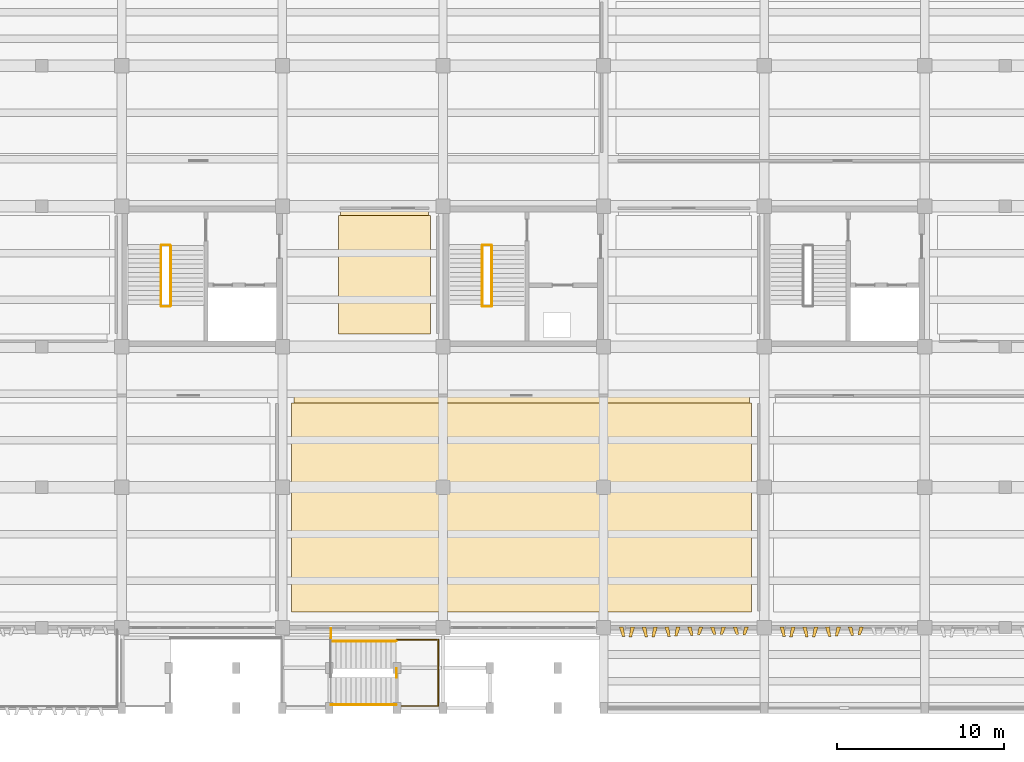
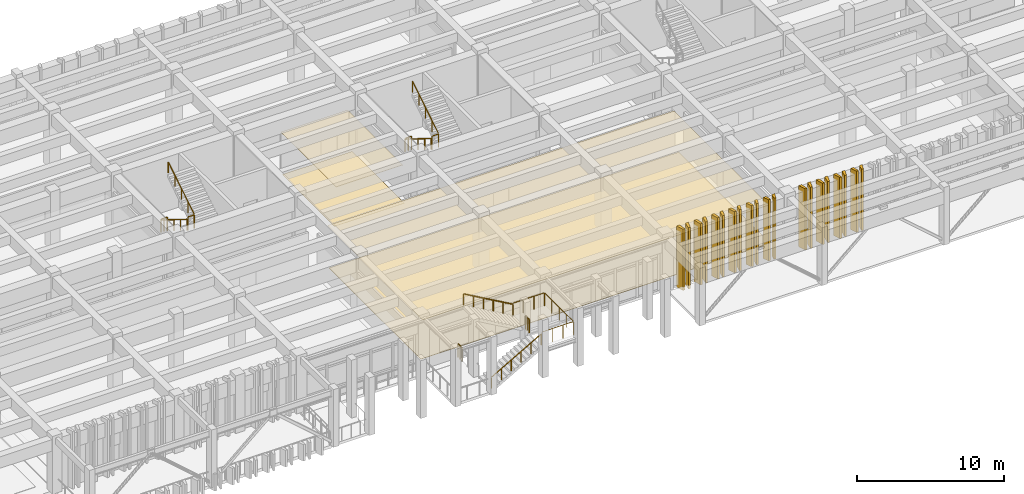
# One storey, part 77 of 86: 24 coverings, 13 railings.
"""IFC4 building model written with IfcOpenShell, lengths in metres."""

from ifc_helpers import new_model, si_unit, direction, frame, origin, origin_2d, place, context, subcontext, project, spatial, polyline, circle, outline, extrude, material, layer, layer_set, type_object, element, save


model = new_model("IFC4")

# Units and contexts
model_context = context("Model", 3, precision=1e-05, world=origin(), true_north=direction((0.0, 1.0)))
body_context = subcontext(model_context, "Body", "Model", "MODEL_VIEW")
ifc_project = project(units=[si_unit("LENGTHUNIT", "METRE"), si_unit("AREAUNIT", "SQUARE_METRE"), si_unit("VOLUMEUNIT", "CUBIC_METRE"), si_unit("PLANEANGLEUNIT", "RADIAN"), si_unit("MASSUNIT", "GRAM", prefix="KILO")], contexts=[model_context])

# Site, building, storey
site_placement = place(None, origin())
site = spatial("IfcSite", under=ifc_project, at=site_placement, CompositionType="ELEMENT")
building_placement = place(site_placement, origin())
building = spatial("IfcBuilding", under=site, at=building_placement, Name="Kolvemor Railside Polytechnic", CompositionType="ELEMENT")
storey_placement = place(building_placement, frame((0.0, 0.0, 5.39990234375)))
storey = spatial("IfcBuildingStorey", under=building, at=storey_placement, Name="L01", CompositionType="ELEMENT", Elevation=5.39990234375)

# Coverings
ifc_material_1 = material(Name="Perforated acoustic mineral-fibre and timber-slat ceiling", Category="wood")
ifc_layer_1 = layer(ifc_material_1, 0.034912109375, Name="COV-CEIL-3")
ifc_layer_set_1 = layer_set([ifc_layer_1], Name="Perforated acoustic mineral-fibre and timber-slat ceiling")
covering_type_1 = type_object("IfcCoveringType", Name="COV-CEIL-3", PredefinedType="CEILING", material=ifc_layer_set_1)
covering_1_placement = place(storey_placement, frame((0.0, 0.0, 3.22509765625)))
element("IfcCovering", 1, at=covering_1_placement, inside=storey, type_object=covering_type_1, Name="Fluid Mechanics Teaching Laboratory Acoustic Ceiling", PredefinedType="CEILING", context=body_context, shape_type="SweptSolid", body=[
    extrude(outline(polyline([(80.280029296875, 22.35009765625), (85.52001953125, 22.35009765625), (85.52001953125, 29.8798828125), (80.280029296875, 29.8798828125), (80.280029296875, 22.35009765625)])), origin(), (0.0, 0.0, 1.0), 0.034912109375),
])
ifc_material_2 = material(Name="Perforated acoustic mineral-fibre and timber-slat ceiling", Category="wood")
ifc_layer_2 = layer(ifc_material_2, 0.0400390625, Name="COV-CEIL-4")
ifc_layer_set_2 = layer_set([ifc_layer_2], Name="Perforated acoustic mineral-fibre and timber-slat ceiling")
covering_type_2 = type_object("IfcCoveringType", Name="COV-CEIL-4", PredefinedType="CEILING", material=ifc_layer_set_2)
covering_2_placement = place(storey_placement, frame((0.0, 0.0, 3.22021484375)))
element("IfcCovering", 2, at=covering_2_placement, inside=storey, type_object=covering_type_2, Name="Bioprocess and Marine Biology Laboratory Acoustic Ceiling", PredefinedType="CEILING", context=body_context, shape_type="SweptSolid", body=[
    extrude(outline(polyline([(77.47998046875, 5.75), (104.719970703125, 5.75), (104.719970703125, 18.679931640625), (77.47998046875, 18.679931640625), (77.47998046875, 5.75)])), origin(), (0.0, 0.0, 1.0), 0.039794921875),
])
ifc_material_3 = material(Name="Champagne-bronze PVDF-anodised marine aluminium 5052-H32", Category="aluminium")
ifc_layer_3 = layer(ifc_material_3, 0.179931640625, Name="COV-FIN-CHAMP")
ifc_layer_set_3 = layer_set([ifc_layer_3], Name="Champagne-bronze PVDF-anodised marine aluminium 5052-H32")
covering_type_3 = type_object("IfcCoveringType", Name="COV-FIN-CHAMP", PredefinedType="CLADDING", material=ifc_layer_set_3)
covering_3_placement = place(storey_placement, frame((0.0, 0.0, -0.289794921875)))
element("IfcCovering", 3, at=covering_3_placement, inside=storey, type_object=covering_type_3, Name="Pleated Solar Fin L01-0298", PredefinedType="CLADDING", context=body_context, shape_type="SweptSolid", body=[
    extrude(outline(polyline([(96.945068359375, 4.8349609375), (97.175048828125, 4.8349609375), (97.280029296875, 4.263916015625), (97.1201171875, 4.263916015625), (96.945068359375, 4.8349609375)])), origin(), (0.0, 0.0, 1.0), 5.08984375),
])
covering_4_placement = place(storey_placement, frame((0.0, 0.0, -0.289794921875)))
element("IfcCovering", 4, at=covering_4_placement, inside=storey, type_object=covering_type_3, Name="Pleated Solar Fin L01-0299", PredefinedType="CLADDING", context=body_context, shape_type="SweptSolid", body=[
    extrude(outline(polyline([(97.625, 4.8349609375), (97.85498046875, 4.8349609375), (97.679931640625, 4.241943359375), (97.52001953125, 4.241943359375), (97.625, 4.8349609375)])), origin(), (0.0, 0.0, 1.0), 5.08984375),
])
covering_5_placement = place(storey_placement, frame((0.0, 0.0, -0.289794921875)))
element("IfcCovering", 5, at=covering_5_placement, inside=storey, type_object=covering_type_3, Name="Pleated Solar Fin L01-0300", PredefinedType="CLADDING", context=body_context, shape_type="SweptSolid", body=[
    extrude(outline(polyline([(98.304931640625, 4.8349609375), (98.534912109375, 4.8349609375), (98.639892578125, 4.235107421875), (98.47998046875, 4.235107421875), (98.304931640625, 4.8349609375)])), origin(), (0.0, 0.0, 1.0), 5.08984375),
])
covering_6_placement = place(storey_placement, frame((0.0, 0.0, -0.289794921875)))
element("IfcCovering", 6, at=covering_6_placement, inside=storey, type_object=covering_type_3, Name="Pleated Solar Fin L01-0301", PredefinedType="CLADDING", context=body_context, shape_type="SweptSolid", body=[
    extrude(outline(polyline([(98.985107421875, 4.8349609375), (99.215087890625, 4.8349609375), (99.0400390625, 4.242919921875), (98.8798828125, 4.242919921875), (98.985107421875, 4.8349609375)])), origin(), (0.0, 0.0, 1.0), 5.08984375),
])
covering_7_placement = place(storey_placement, frame((0.0, 0.0, -0.289794921875)))
element("IfcCovering", 7, at=covering_7_placement, inside=storey, type_object=covering_type_3, Name="Pleated Solar Fin L01-0302", PredefinedType="CLADDING", context=body_context, shape_type="SweptSolid", body=[
    extrude(outline(polyline([(99.6650390625, 4.8349609375), (99.89501953125, 4.8349609375), (100.0, 4.264892578125), (99.840087890625, 4.264892578125), (99.6650390625, 4.8349609375)])), origin(), (0.0, 0.0, 1.0), 5.08984375),
])
covering_8_placement = place(storey_placement, frame((0.0, 0.0, -0.289794921875)))
element("IfcCovering", 8, at=covering_8_placement, inside=storey, type_object=covering_type_3, Name="Pleated Solar Fin L01-0303", PredefinedType="CLADDING", context=body_context, shape_type="SweptSolid", body=[
    extrude(outline(polyline([(100.344970703125, 4.8349609375), (100.574951171875, 4.8349609375), (100.39990234375, 4.297119140625), (100.239990234375, 4.297119140625), (100.344970703125, 4.8349609375)])), origin(), (0.0, 0.0, 1.0), 5.08984375),
])
covering_9_placement = place(storey_placement, frame((0.0, 0.0, -0.289794921875)))
element("IfcCovering", 9, at=covering_9_placement, inside=storey, type_object=covering_type_3, Name="Pleated Solar Fin L01-0304", PredefinedType="CLADDING", context=body_context, shape_type="SweptSolid", body=[
    extrude(outline(polyline([(101.02490234375, 4.8349609375), (101.2548828125, 4.8349609375), (101.360107421875, 4.3330078125), (101.199951171875, 4.3330078125), (101.02490234375, 4.8349609375)])), origin(), (0.0, 0.0, 1.0), 5.08984375),
])
covering_10_placement = place(storey_placement, frame((0.0, 0.0, -0.289794921875)))
element("IfcCovering", 10, at=covering_10_placement, inside=storey, type_object=covering_type_3, Name="Pleated Solar Fin L01-0305", PredefinedType="CLADDING", context=body_context, shape_type="SweptSolid", body=[
    extrude(outline(polyline([(101.705078125, 4.8349609375), (101.93505859375, 4.8349609375), (101.760009765625, 4.364990234375), (101.60009765625, 4.364990234375), (101.705078125, 4.8349609375)])), origin(), (0.0, 0.0, 1.0), 5.08984375),
])
covering_11_placement = place(storey_placement, frame((0.0, 0.0, -0.289794921875)))
element("IfcCovering", 11, at=covering_11_placement, inside=storey, type_object=covering_type_3, Name="Pleated Solar Fin L01-0306", PredefinedType="CLADDING", context=body_context, shape_type="SweptSolid", body=[
    extrude(outline(polyline([(102.385009765625, 4.8349609375), (102.614990234375, 4.8349609375), (102.719970703125, 4.386962890625), (102.56005859375, 4.386962890625), (102.385009765625, 4.8349609375)])), origin(), (0.0, 0.0, 1.0), 5.08984375),
])
covering_12_placement = place(storey_placement, frame((0.0, 0.0, -0.289794921875)))
element("IfcCovering", 12, at=covering_12_placement, inside=storey, type_object=covering_type_3, Name="Pleated Solar Fin L01-0307", PredefinedType="CLADDING", context=body_context, shape_type="SweptSolid", body=[
    extrude(outline(polyline([(103.06494140625, 4.8349609375), (103.294921875, 4.8349609375), (103.1201171875, 4.39501953125), (102.9599609375, 4.39501953125), (103.06494140625, 4.8349609375)])), origin(), (0.0, 0.0, 1.0), 5.08984375),
])
covering_13_placement = place(storey_placement, frame((0.0, 0.0, -0.289794921875)))
element("IfcCovering", 13, at=covering_13_placement, inside=storey, type_object=covering_type_3, Name="Pleated Solar Fin L01-0308", PredefinedType="CLADDING", context=body_context, shape_type="SweptSolid", body=[
    extrude(outline(polyline([(103.7451171875, 4.8349609375), (103.97509765625, 4.8349609375), (104.080078125, 4.387939453125), (103.919921875, 4.387939453125), (103.7451171875, 4.8349609375)])), origin(), (0.0, 0.0, 1.0), 5.08984375),
])
covering_14_placement = place(storey_placement, frame((0.0, 0.0, -0.289794921875)))
element("IfcCovering", 14, at=covering_14_placement, inside=storey, type_object=covering_type_3, Name="Pleated Solar Fin L01-0309", PredefinedType="CLADDING", context=body_context, shape_type="SweptSolid", body=[
    extrude(outline(polyline([(104.425048828125, 4.8349609375), (104.655029296875, 4.8349609375), (104.47998046875, 4.365966796875), (104.320068359375, 4.365966796875), (104.425048828125, 4.8349609375)])), origin(), (0.0, 0.0, 1.0), 5.08984375),
])
ifc_material_4 = material(Name="Sea-mist PVDF-anodised marine aluminium 5052-H32", Category="aluminium")
ifc_layer_4 = layer(ifc_material_4, 0.159912109375, Name="COV-FIN-MIST")
ifc_layer_set_4 = layer_set([ifc_layer_4], Name="Sea-mist PVDF-anodised marine aluminium 5052-H32")
covering_type_4 = type_object("IfcCoveringType", Name="COV-FIN-MIST", PredefinedType="CLADDING", material=ifc_layer_set_4)
covering_15_placement = place(storey_placement, frame((0.0, 0.0, -0.289794921875)))
element("IfcCovering", 15, at=covering_15_placement, inside=storey, type_object=covering_type_4, Name="Pleated Solar Fin L01-0310", PredefinedType="CLADDING", context=body_context, shape_type="SweptSolid", body=[
    extrude(outline(polyline([(106.544921875, 4.8349609375), (106.77490234375, 4.8349609375), (106.8798828125, 4.263916015625), (106.719970703125, 4.263916015625), (106.544921875, 4.8349609375)])), origin(), (0.0, 0.0, 1.0), 5.08984375),
])
covering_16_placement = place(storey_placement, frame((0.0, 0.0, -0.289794921875)))
element("IfcCovering", 16, at=covering_16_placement, inside=storey, type_object=covering_type_4, Name="Pleated Solar Fin L01-0311", PredefinedType="CLADDING", context=body_context, shape_type="SweptSolid", body=[
    extrude(outline(polyline([(107.22509765625, 4.8349609375), (107.455078125, 4.8349609375), (107.280029296875, 4.241943359375), (107.1201171875, 4.241943359375), (107.22509765625, 4.8349609375)])), origin(), (0.0, 0.0, 1.0), 5.08984375),
])
covering_17_placement = place(storey_placement, frame((0.0, 0.0, -0.289794921875)))
element("IfcCovering", 17, at=covering_17_placement, inside=storey, type_object=covering_type_4, Name="Pleated Solar Fin L01-0312", PredefinedType="CLADDING", context=body_context, shape_type="SweptSolid", body=[
    extrude(outline(polyline([(107.905029296875, 4.8349609375), (108.135009765625, 4.8349609375), (108.239990234375, 4.235107421875), (108.080078125, 4.235107421875), (107.905029296875, 4.8349609375)])), origin(), (0.0, 0.0, 1.0), 5.08984375),
])
covering_18_placement = place(storey_placement, frame((0.0, 0.0, -0.289794921875)))
element("IfcCovering", 18, at=covering_18_placement, inside=storey, type_object=covering_type_4, Name="Pleated Solar Fin L01-0313", PredefinedType="CLADDING", context=body_context, shape_type="SweptSolid", body=[
    extrude(outline(polyline([(108.5849609375, 4.8349609375), (108.81494140625, 4.8349609375), (108.639892578125, 4.242919921875), (108.47998046875, 4.242919921875), (108.5849609375, 4.8349609375)])), origin(), (0.0, 0.0, 1.0), 5.08984375),
])
covering_19_placement = place(storey_placement, frame((0.0, 0.0, -0.289794921875)))
element("IfcCovering", 19, at=covering_19_placement, inside=storey, type_object=covering_type_4, Name="Pleated Solar Fin L01-0314", PredefinedType="CLADDING", context=body_context, shape_type="SweptSolid", body=[
    extrude(outline(polyline([(109.264892578125, 4.8349609375), (109.4951171875, 4.8349609375), (109.60009765625, 4.264892578125), (109.43994140625, 4.264892578125), (109.264892578125, 4.8349609375)])), origin(), (0.0, 0.0, 1.0), 5.08984375),
])
covering_20_placement = place(storey_placement, frame((0.0, 0.0, -0.289794921875)))
element("IfcCovering", 20, at=covering_20_placement, inside=storey, type_object=covering_type_4, Name="Pleated Solar Fin L01-0315", PredefinedType="CLADDING", context=body_context, shape_type="SweptSolid", body=[
    extrude(outline(polyline([(109.945068359375, 4.8349609375), (110.175048828125, 4.8349609375), (110.0, 4.297119140625), (109.840087890625, 4.297119140625), (109.945068359375, 4.8349609375)])), origin(), (0.0, 0.0, 1.0), 5.08984375),
])
covering_21_placement = place(storey_placement, frame((0.0, 0.0, -0.289794921875)))
element("IfcCovering", 21, at=covering_21_placement, inside=storey, type_object=covering_type_4, Name="Pleated Solar Fin L01-0316", PredefinedType="CLADDING", context=body_context, shape_type="SweptSolid", body=[
    extrude(outline(polyline([(110.625, 4.8349609375), (110.85498046875, 4.8349609375), (110.9599609375, 4.3330078125), (110.800048828125, 4.3330078125), (110.625, 4.8349609375)])), origin(), (0.0, 0.0, 1.0), 5.08984375),
])
covering_22_placement = place(storey_placement, frame((0.0, 0.0, -0.289794921875)))
element("IfcCovering", 22, at=covering_22_placement, inside=storey, type_object=covering_type_4, Name="Pleated Solar Fin L01-0317", PredefinedType="CLADDING", context=body_context, shape_type="SweptSolid", body=[
    extrude(outline(polyline([(111.304931640625, 4.8349609375), (111.534912109375, 4.8349609375), (111.360107421875, 4.364990234375), (111.199951171875, 4.364990234375), (111.304931640625, 4.8349609375)])), origin(), (0.0, 0.0, 1.0), 5.08984375),
])
ifc_material_5 = material(Name="Polished coral-aggregate terrazzo and laboratory epoxy flooring")
ifc_layer_5 = layer(ifc_material_5, 0.030029296875, Name="COV-FLR-3")
ifc_layer_set_5 = layer_set([ifc_layer_5], Name="Polished coral-aggregate terrazzo and laboratory epoxy flooring")
covering_type_5 = type_object("IfcCoveringType", Name="COV-FLR-3", PredefinedType="FLOORING", material=ifc_layer_set_5)
covering_23_placement = place(storey_placement, origin())
element("IfcCovering", 23, at=covering_23_placement, inside=storey, type_object=covering_type_5, Name="Fluid Mechanics Teaching Laboratory Floor Finish", PredefinedType="FLOORING", context=body_context, shape_type="SweptSolid", body=[
    extrude(outline(polyline([(80.14990234375, 22.35009765625), (85.64990234375, 22.35009765625), (85.64990234375, 29.449951171875), (80.14990234375, 29.449951171875), (80.14990234375, 22.35009765625)])), origin(), (0.0, 0.0, 1.0), 0.030029296875),
])
ifc_material_6 = material(Name="Polished coral-aggregate terrazzo and laboratory epoxy flooring")
ifc_layer_6 = layer(ifc_material_6, 0.034912109375, Name="COV-FLR-4")
ifc_layer_set_6 = layer_set([ifc_layer_6], Name="Polished coral-aggregate terrazzo and laboratory epoxy flooring")
covering_type_6 = type_object("IfcCoveringType", Name="COV-FLR-4", PredefinedType="FLOORING", material=ifc_layer_set_6)
covering_24_placement = place(storey_placement, origin())
element("IfcCovering", 24, at=covering_24_placement, inside=storey, type_object=covering_type_6, Name="Bioprocess and Marine Biology Laboratory Floor Finish", PredefinedType="FLOORING", context=body_context, shape_type="SweptSolid", body=[
    extrude(outline(polyline([(77.35009765625, 5.75), (104.85009765625, 5.75), (104.85009765625, 18.25), (77.35009765625, 18.25), (77.35009765625, 5.75)])), origin(), (0.0, 0.0, 1.0), 0.03515625),
])

# Railings
ifc_material_7 = material(Name="AISI 316 marine stainless-steel balustrade guard", Category="steel")
railing_type_1 = type_object("IfcRailingType", Name="RLG-GUARD-1120", PredefinedType="BALUSTRADE", material=ifc_material_7)
railing_1_placement = place(storey_placement, frame((69.580078125, 27.679931640625, 0.0)))
element("IfcRailing", 25, at=railing_1_placement, inside=storey, type_object=railing_type_1, Name="ST-1 Floor Slot Guard L01", PredefinedType="BALUSTRADE", context=body_context, shape_type="SweptSolid", body=[
    extrude(circle(Radius=0.02392578125, at=origin_2d()), frame((0.054931640625, 0.0, 1.09619140625), z_axis=(1.0, 0.0, 0.0), x_axis=(0.0, 1.0, 0.0)), (0.0, 0.0, 1.0), 0.389892578125),
    extrude(circle(Radius=0.02099609375, at=origin_2d()), origin(), (0.0, 0.0, 1.0), 1.05712890625),
    extrude(circle(Radius=0.02099609375, at=origin_2d()), frame((0.25, 0.0, 0.0)), (0.0, 0.0, 1.0), 1.05712890625),
    extrude(circle(Radius=0.02099609375, at=origin_2d()), frame((0.5, 0.0, 0.0)), (0.0, 0.0, 1.0), 1.05712890625),
])
railing_2_placement = place(storey_placement, frame((69.580078125, 24.0048828125, 2.400146484375)))
element("IfcRailing", 26, at=railing_2_placement, inside=storey, type_object=railing_type_1, Name="ST-1 Half-Landing Slot Guard L01", PredefinedType="BALUSTRADE", context=body_context, shape_type="SweptSolid", body=[
    extrude(circle(Radius=0.02392578125, at=origin_2d()), frame((0.054931640625, 0.0, 1.09619140625), z_axis=(1.0, 0.0, 0.0), x_axis=(0.0, 1.0, 0.0)), (0.0, 0.0, 1.0), 0.389892578125),
    extrude(circle(Radius=0.02099609375, at=origin_2d()), origin(), (0.0, 0.0, 1.0), 1.05712890625),
    extrude(circle(Radius=0.02099609375, at=origin_2d()), frame((0.5, 0.0, 0.0)), (0.0, 0.0, 1.0), 1.05712890625),
])
railing_3_placement = place(storey_placement, frame((88.780029296875, 27.679931640625, 0.0)))
element("IfcRailing", 27, at=railing_3_placement, inside=storey, type_object=railing_type_1, Name="ST-3 Floor Slot Guard L01", PredefinedType="BALUSTRADE", context=body_context, shape_type="SweptSolid", body=[
    extrude(circle(Radius=0.02392578125, at=origin_2d()), frame((0.054931640625, 0.0, 1.09619140625), z_axis=(1.0, 0.0, 0.0), x_axis=(0.0, 1.0, 0.0)), (0.0, 0.0, 1.0), 0.389892578125),
    extrude(circle(Radius=0.02099609375, at=origin_2d()), origin(), (0.0, 0.0, 1.0), 1.05712890625),
    extrude(circle(Radius=0.02099609375, at=origin_2d()), frame((0.25, 0.0, 0.0)), (0.0, 0.0, 1.0), 1.05712890625),
    extrude(circle(Radius=0.02099609375, at=origin_2d()), frame((0.5, 0.0, 0.0)), (0.0, 0.0, 1.0), 1.05712890625),
])
railing_4_placement = place(storey_placement, frame((88.780029296875, 24.0048828125, 2.400146484375)))
element("IfcRailing", 28, at=railing_4_placement, inside=storey, type_object=railing_type_1, Name="ST-3 Half-Landing Slot Guard L01", PredefinedType="BALUSTRADE", context=body_context, shape_type="SweptSolid", body=[
    extrude(circle(Radius=0.02392578125, at=origin_2d()), frame((0.054931640625, 0.0, 1.09619140625), z_axis=(1.0, 0.0, 0.0), x_axis=(0.0, 1.0, 0.0)), (0.0, 0.0, 1.0), 0.389892578125),
    extrude(circle(Radius=0.02099609375, at=origin_2d()), origin(), (0.0, 0.0, 1.0), 1.05712890625),
    extrude(circle(Radius=0.02099609375, at=origin_2d()), frame((0.5, 0.0, 0.0)), (0.0, 0.0, 1.0), 1.05712890625),
])
railing_5_placement = place(storey_placement, frame((79.699951171875, 4.179931640625, 0.0)))
element("IfcRailing", 29, at=railing_5_placement, inside=storey, type_object=railing_type_1, Name="ST-EXT Rear Gallery East End Guard L01-1", PredefinedType="BALUSTRADE", context=body_context, shape_type="SweptSolid", body=[
    extrude(circle(Radius=0.02392578125, at=origin_2d()), frame((0.0, 0.054931640625, 1.09619140625), z_axis=(0.0, 1.0, 0.0), x_axis=(-1.0, 0.0, 0.0)), (0.0, 0.0, 1.0), 0.449951171875),
    extrude(circle(Radius=0.02099609375, at=origin_2d()), origin(), (0.0, 0.0, 1.0), 1.05712890625),
    extrude(circle(Radius=0.02099609375, at=origin_2d()), frame((0.0, 0.280029296875, 0.0)), (0.0, 0.0, 1.0), 1.05712890625),
    extrude(circle(Radius=0.02099609375, at=origin_2d()), frame((0.0, 0.56005859375, 0.0)), (0.0, 0.0, 1.0), 1.05712890625),
])
railing_6_placement = place(storey_placement, frame((83.6201171875, 0.1201171875, 2.400146484375)))
element("IfcRailing", 30, at=railing_6_placement, inside=storey, type_object=railing_type_1, Name="ST-EXT Half-Landing Perimeter Guard L01", PredefinedType="BALUSTRADE", context=body_context, shape_type="SweptSolid", body=[
    extrude(circle(Radius=0.02392578125, at=origin_2d()), frame((0.054931640625, 0.0, 1.09619140625), z_axis=(1.0, 0.0, 0.0), x_axis=(0.0, 1.0, 0.0)), (0.0, 0.0, 1.0), 2.389892578125),
    extrude(circle(Radius=0.02392578125, at=origin_2d()), frame((2.5, 0.054931640625, 1.09619140625), z_axis=(0.0, 1.0, 0.0), x_axis=(-1.0, 0.0, 0.0)), (0.0, 0.0, 1.0), 3.849853515625),
    extrude(circle(Radius=0.02392578125, at=origin_2d()), frame((2.445068359375, 3.9599609375, 1.09619140625), z_axis=(-1.0, 0.0, 0.0), x_axis=(0.0, -1.0, 0.0)), (0.0, 0.0, 1.0), 2.389892578125),
    extrude(circle(Radius=0.02099609375, at=origin_2d()), origin(), (0.0, 0.0, 1.0), 1.05712890625),
    extrude(circle(Radius=0.02099609375, at=origin_2d()), frame((0.833251953125, 0.0, 0.0)), (0.0, 0.0, 1.0), 1.05712890625),
    extrude(circle(Radius=0.02099609375, at=origin_2d()), frame((1.666748046875, 0.0, 0.0)), (0.0, 0.0, 1.0), 1.05712890625),
    extrude(circle(Radius=0.02099609375, at=origin_2d()), frame((2.5, 0.0, 0.0)), (0.0, 0.0, 1.0), 1.05712890625),
    extrude(circle(Radius=0.02099609375, at=origin_2d()), frame((2.5, 0.989990234375, 0.0)), (0.0, 0.0, 1.0), 1.05712890625),
    extrude(circle(Radius=0.02099609375, at=origin_2d()), frame((2.5, 1.97998046875, 0.0)), (0.0, 0.0, 1.0), 1.05712890625),
    extrude(circle(Radius=0.02099609375, at=origin_2d()), frame((2.5, 2.969970703125, 0.0)), (0.0, 0.0, 1.0), 1.05712890625),
    extrude(circle(Radius=0.02099609375, at=origin_2d()), frame((2.5, 3.9599609375, 0.0)), (0.0, 0.0, 1.0), 1.05712890625),
    extrude(circle(Radius=0.02099609375, at=origin_2d()), frame((1.666748046875, 3.9599609375, 0.0)), (0.0, 0.0, 1.0), 1.05712890625),
    extrude(circle(Radius=0.02099609375, at=origin_2d()), frame((0.833251953125, 3.9599609375, 0.0)), (0.0, 0.0, 1.0), 1.05712890625),
    extrude(circle(Radius=0.02099609375, at=origin_2d()), frame((0.0, 3.9599609375, 0.0)), (0.0, 0.0, 1.0), 1.05712890625),
])
railing_7_placement = place(storey_placement, frame((83.6201171875, 1.840087890625, 2.400146484375)))
element("IfcRailing", 31, at=railing_7_placement, inside=storey, type_object=railing_type_1, Name="ST-EXT Half-Landing Slot Guard L01", PredefinedType="BALUSTRADE", context=body_context, shape_type="SweptSolid", body=[
    extrude(circle(Radius=0.02392578125, at=origin_2d()), frame((0.0, 0.054931640625, 1.09619140625), z_axis=(0.0, 1.0, 0.0), x_axis=(-1.0, 0.0, 0.0)), (0.0, 0.0, 1.0), 0.409912109375),
    extrude(circle(Radius=0.02099609375, at=origin_2d()), origin(), (0.0, 0.0, 1.0), 1.05712890625),
    extrude(circle(Radius=0.02099609375, at=origin_2d()), frame((0.0, 0.260009765625, 0.0)), (0.0, 0.0, 1.0), 1.05712890625),
    extrude(circle(Radius=0.02099609375, at=origin_2d()), frame((0.0, 0.52001953125, 0.0)), (0.0, 0.0, 1.0), 1.05712890625),
])
ifc_material_8 = material(Name="Brushed AISI 316 stainless-steel stair handrail", Category="steel")
railing_type_2 = type_object("IfcRailingType", Name="RLG-HANDRAIL-920", PredefinedType="HANDRAIL", material=ifc_material_8)
railing_8_placement = place(storey_placement, frame((69.5400390625, 27.6201171875, 0.171630859375)))
element("IfcRailing", 32, at=railing_8_placement, inside=storey, type_object=railing_type_2, Name="ST-1 Flight 1 Handrail L01", PredefinedType="HANDRAIL", context=body_context, shape_type="SweptSolid", body=[
    extrude(circle(Radius=0.02392578125, at=origin_2d()), frame((0.0, -0.046630859375, 0.925048828125), z_axis=(0.0, -0.848635802536, 0.528977574812), x_axis=(1.0, 0.0, 0.0)), (0.0, 0.0, 1.0), 4.102783203125),
    extrude(circle(Radius=0.02099609375, at=origin_2d()), origin(), (0.0, 0.0, 1.0), 0.85693359375),
    extrude(circle(Radius=0.02099609375, at=origin_2d()), frame((0.0, -0.893798828125, 0.55712890625)), (0.0, 0.0, 1.0), 0.85693359375),
    extrude(circle(Radius=0.02099609375, at=origin_2d()), frame((0.0, -1.78759765625, 1.1142578125)), (0.0, 0.0, 1.0), 0.85693359375),
    extrude(circle(Radius=0.02099609375, at=origin_2d()), frame((0.0, -2.681396484375, 1.67138671875)), (0.0, 0.0, 1.0), 0.85693359375),
    extrude(circle(Radius=0.02099609375, at=origin_2d()), frame((0.0, -3.5751953125, 2.228515625)), (0.0, 0.0, 1.0), 0.85693359375),
])
railing_9_placement = place(storey_placement, frame((70.1201171875, 24.044921875, 2.571533203125)))
element("IfcRailing", 33, at=railing_9_placement, inside=storey, type_object=railing_type_2, Name="ST-1 Flight 2 Handrail L01", PredefinedType="HANDRAIL", context=body_context, shape_type="SweptSolid", body=[
    extrude(circle(Radius=0.02392578125, at=origin_2d()), frame((0.0, 0.046630859375, 0.925048828125), z_axis=(0.0, 0.848635802536, 0.528977574812), x_axis=(-1.0, 0.0, 0.0)), (0.0, 0.0, 1.0), 4.102783203125),
    extrude(circle(Radius=0.02099609375, at=origin_2d()), origin(), (0.0, 0.0, 1.0), 0.85693359375),
    extrude(circle(Radius=0.02099609375, at=origin_2d()), frame((0.0, 0.893798828125, 0.55712890625)), (0.0, 0.0, 1.0), 0.85693359375),
    extrude(circle(Radius=0.02099609375, at=origin_2d()), frame((0.0, 1.78759765625, 1.1142578125)), (0.0, 0.0, 1.0), 0.85693359375),
    extrude(circle(Radius=0.02099609375, at=origin_2d()), frame((0.0, 2.681396484375, 1.67138671875)), (0.0, 0.0, 1.0), 0.85693359375),
    extrude(circle(Radius=0.02099609375, at=origin_2d()), frame((0.0, 3.5751953125, 2.228515625)), (0.0, 0.0, 1.0), 0.85693359375),
])
railing_10_placement = place(storey_placement, frame((88.739990234375, 27.6201171875, 0.171630859375)))
element("IfcRailing", 34, at=railing_10_placement, inside=storey, type_object=railing_type_2, Name="ST-3 Flight 1 Handrail L01", PredefinedType="HANDRAIL", context=body_context, shape_type="SweptSolid", body=[
    extrude(circle(Radius=0.02392578125, at=origin_2d()), frame((0.0, -0.046630859375, 0.925048828125), z_axis=(0.0, -0.848635802536, 0.528977574812), x_axis=(1.0, 0.0, 0.0)), (0.0, 0.0, 1.0), 4.102783203125),
    extrude(circle(Radius=0.02099609375, at=origin_2d()), origin(), (0.0, 0.0, 1.0), 0.85693359375),
    extrude(circle(Radius=0.02099609375, at=origin_2d()), frame((0.0, -0.893798828125, 0.55712890625)), (0.0, 0.0, 1.0), 0.85693359375),
    extrude(circle(Radius=0.02099609375, at=origin_2d()), frame((0.0, -1.78759765625, 1.1142578125)), (0.0, 0.0, 1.0), 0.85693359375),
    extrude(circle(Radius=0.02099609375, at=origin_2d()), frame((0.0, -2.681396484375, 1.67138671875)), (0.0, 0.0, 1.0), 0.85693359375),
    extrude(circle(Radius=0.02099609375, at=origin_2d()), frame((0.0, -3.5751953125, 2.228515625)), (0.0, 0.0, 1.0), 0.85693359375),
])
railing_11_placement = place(storey_placement, frame((89.320068359375, 24.044921875, 2.571533203125)))
element("IfcRailing", 35, at=railing_11_placement, inside=storey, type_object=railing_type_2, Name="ST-3 Flight 2 Handrail L01", PredefinedType="HANDRAIL", context=body_context, shape_type="SweptSolid", body=[
    extrude(circle(Radius=0.02392578125, at=origin_2d()), frame((0.0, 0.046630859375, 0.925048828125), z_axis=(0.0, 0.848635802536, 0.528977574812), x_axis=(-1.0, 0.0, 0.0)), (0.0, 0.0, 1.0), 4.102783203125),
    extrude(circle(Radius=0.02099609375, at=origin_2d()), origin(), (0.0, 0.0, 1.0), 0.85693359375),
    extrude(circle(Radius=0.02099609375, at=origin_2d()), frame((0.0, 0.893798828125, 0.55712890625)), (0.0, 0.0, 1.0), 0.85693359375),
    extrude(circle(Radius=0.02099609375, at=origin_2d()), frame((0.0, 1.78759765625, 1.1142578125)), (0.0, 0.0, 1.0), 0.85693359375),
    extrude(circle(Radius=0.02099609375, at=origin_2d()), frame((0.0, 2.681396484375, 1.67138671875)), (0.0, 0.0, 1.0), 0.85693359375),
    extrude(circle(Radius=0.02099609375, at=origin_2d()), frame((0.0, 3.5751953125, 2.228515625)), (0.0, 0.0, 1.0), 0.85693359375),
])
railing_12_placement = place(storey_placement, frame((79.699951171875, 0.199951171875, 0.171630859375)))
element("IfcRailing", 36, at=railing_12_placement, inside=storey, type_object=railing_type_2, Name="ST-EXT Flight 1 Handrail L01", PredefinedType="HANDRAIL", context=body_context, shape_type="SweptSolid", body=[
    extrude(circle(Radius=0.02392578125, at=origin_2d()), frame((0.0478515625, 0.0, 0.923095703125), z_axis=(0.868256520506, 0.0, 0.496115525457), x_axis=(0.0, 1.0, 0.0)), (0.0, 0.0, 1.0), 4.3818359375),
    extrude(circle(Radius=0.02099609375, at=origin_2d()), origin(), (0.0, 0.0, 1.0), 0.85693359375),
    extrude(circle(Radius=0.02099609375, at=origin_2d()), frame((0.780029296875, 0.0, 0.44580078125)), (0.0, 0.0, 1.0), 0.85693359375),
    extrude(circle(Radius=0.02099609375, at=origin_2d()), frame((1.56005859375, 0.0, 0.891357421875)), (0.0, 0.0, 1.0), 0.85693359375),
    extrude(circle(Radius=0.02099609375, at=origin_2d()), frame((2.340087890625, 0.0, 1.337158203125)), (0.0, 0.0, 1.0), 0.85693359375),
    extrude(circle(Radius=0.02099609375, at=origin_2d()), frame((3.1201171875, 0.0, 1.78271484375)), (0.0, 0.0, 1.0), 0.85693359375),
    extrude(circle(Radius=0.02099609375, at=origin_2d()), frame((3.900146484375, 0.0, 2.228515625)), (0.0, 0.0, 1.0), 0.85693359375),
])
railing_13_placement = place(storey_placement, frame((83.60009765625, 4.0, 2.571533203125)))
element("IfcRailing", 37, at=railing_13_placement, inside=storey, type_object=railing_type_2, Name="ST-EXT Flight 2 Handrail L01", PredefinedType="HANDRAIL", context=body_context, shape_type="SweptSolid", body=[
    extrude(circle(Radius=0.02392578125, at=origin_2d()), frame((-0.0478515625, 0.0, 0.923095703125), z_axis=(-0.868256520506, 0.0, 0.496115525457), x_axis=(0.0, -1.0, 0.0)), (0.0, 0.0, 1.0), 4.3818359375),
    extrude(circle(Radius=0.02099609375, at=origin_2d()), origin(), (0.0, 0.0, 1.0), 0.85693359375),
    extrude(circle(Radius=0.02099609375, at=origin_2d()), frame((-0.780029296875, 0.0, 0.44580078125)), (0.0, 0.0, 1.0), 0.85693359375),
    extrude(circle(Radius=0.02099609375, at=origin_2d()), frame((-1.56005859375, 0.0, 0.891357421875)), (0.0, 0.0, 1.0), 0.85693359375),
    extrude(circle(Radius=0.02099609375, at=origin_2d()), frame((-2.340087890625, 0.0, 1.337158203125)), (0.0, 0.0, 1.0), 0.85693359375),
    extrude(circle(Radius=0.02099609375, at=origin_2d()), frame((-3.1201171875, 0.0, 1.78271484375)), (0.0, 0.0, 1.0), 0.85693359375),
    extrude(circle(Radius=0.02099609375, at=origin_2d()), frame((-3.900146484375, 0.0, 2.228515625)), (0.0, 0.0, 1.0), 0.85693359375),
])

save(model, "model.ifc")
